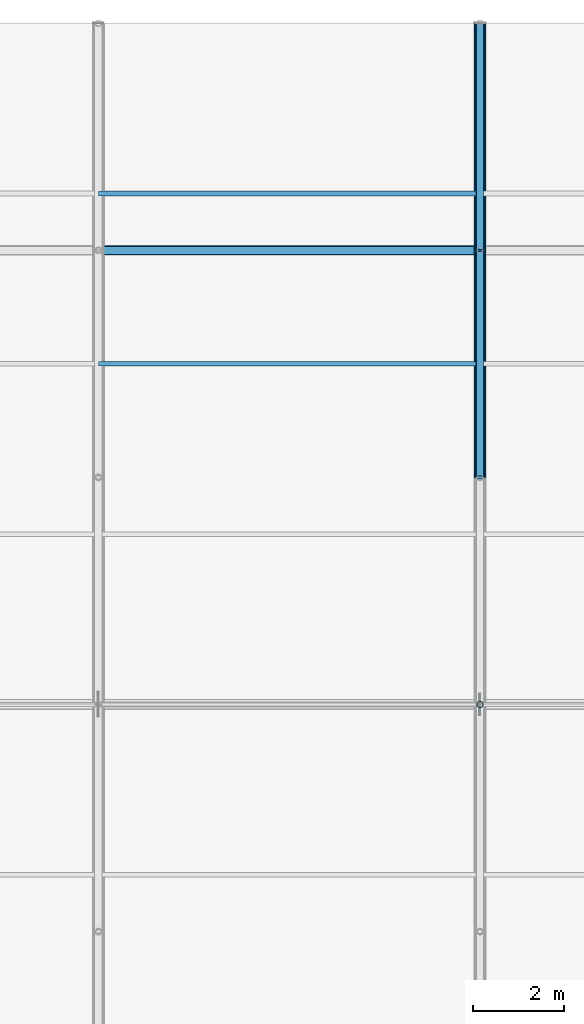
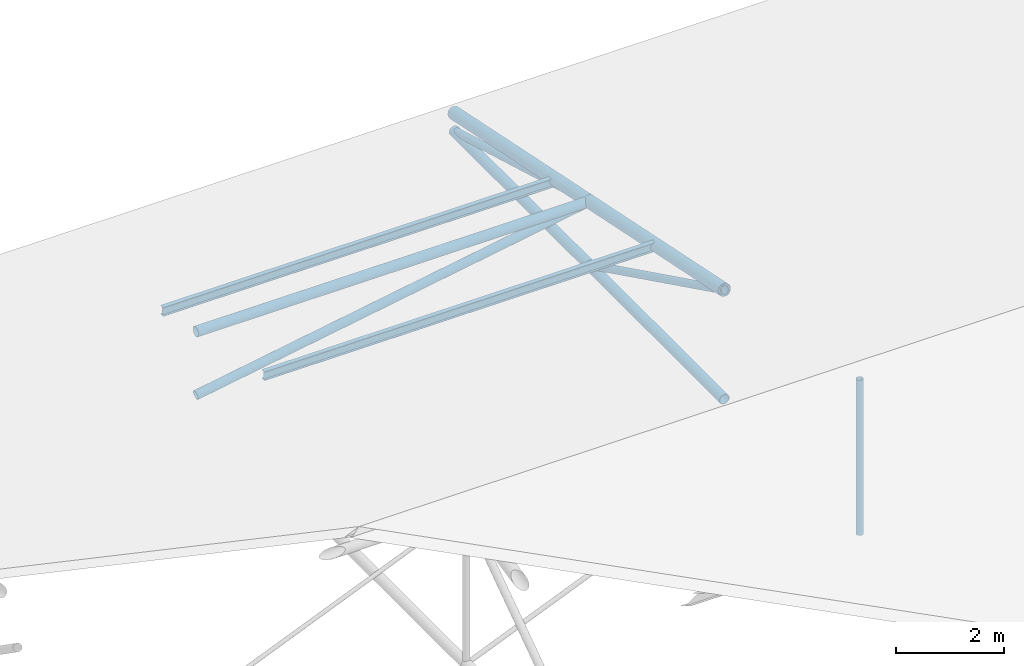
# One storey, part 58 of 194: 9 members, 2 beams.
"""IFC4 building model written with IfcOpenShell, lengths in metres."""

from ifc_helpers import new_model, si_unit, direction, frame, origin, origin_2d, place, context, subcontext, project, spatial, hollow_circle, i_section, extrude, material, material_profile, profile_set, type_object, element, save


model = new_model("IFC4")

# Units and contexts
model_context = context("Model", 3, precision=1e-05, world=origin(), true_north=direction((0.0, 1.0)))
body_context = subcontext(model_context, "Body", "Model", "MODEL_VIEW")
ifc_project = project(units=[si_unit("LENGTHUNIT", "METRE"), si_unit("AREAUNIT", "SQUARE_METRE"), si_unit("VOLUMEUNIT", "CUBIC_METRE"), si_unit("PLANEANGLEUNIT", "RADIAN"), si_unit("MASSUNIT", "GRAM", prefix="KILO")], contexts=[model_context])

# Site, building, storey
site_placement = place(None, origin())
site = spatial("IfcSite", under=ifc_project, at=site_placement, CompositionType="ELEMENT")
building_placement = place(site_placement, origin())
building = spatial("IfcBuilding", under=site, at=building_placement, Name="Kazenagashi Tramway Depot", CompositionType="ELEMENT")
storey_placement = place(building_placement, frame((0.0, 0.0, 23.7)))
storey = spatial("IfcBuildingStorey", under=building, at=storey_placement, Name="ROOF", CompositionType="ELEMENT", Elevation=23.7)

# Beams
ifc_material_1 = material(Name="Steel SN400B", Category="steel")
ifc_material_profile_1 = material_profile(ifc_material_1, i_section(OverallWidth=0.1, OverallDepth=0.2, WebThickness=0.0055, FlangeThickness=0.008, at=origin_2d()), Name="H-200x100x5.5x8")
ifc_profile_set_1 = profile_set([ifc_material_profile_1], Name="Steel SN400B")
beam_type = type_object("IfcBeamType", Name="PR-01", PredefinedType="USERDEFINED", material=ifc_profile_set_1)
for number, where, z_axis, x_axis, name in (
    (1, (103.6, 122.5, -12.13), (1.0, 0.0, 0.0), (0.0, 1.0, 0.0), "Beam PR-01 BM-2205"),
    (2, (103.6, 126.25, -12.955), (1.0, 0.0, 0.0), (0.0, 1.0, 0.0), "Beam PR-01 BM-2223"),
):
    element("IfcBeam", number, at=place(storey_placement, frame(where, z_axis=z_axis, x_axis=x_axis)), inside=storey, type_object=beam_type, Name=name, ObjectType="PURLIN", PredefinedType="USERDEFINED", context=body_context, shape_type="SweptSolid", body=[
        extrude(i_section(OverallWidth=0.1, OverallDepth=0.2, WebThickness=0.0055, FlangeThickness=0.008, at=origin_2d()), origin(), (0.0, 0.0, 1.0), 8.4),
    ])

# Members
ifc_material_2 = material(Name="Steel STK490", Category="steel")
ifc_material_profile_2 = material_profile(ifc_material_2, hollow_circle(Radius=0.1337, WallThickness=0.0093, at=origin_2d()), Name="CHS-267.4x9.3")
ifc_profile_set_2 = profile_set([ifc_material_profile_2], Name="Steel STK490")
member_type_1 = type_object("IfcMemberType", Name="TC-01", PredefinedType="CHORD", material=ifc_profile_set_2)
member_1_placement = place(storey_placement, frame((112.0, 120.0, -11.633), z_axis=(0.0, 0.979279174591, -0.202514933305), x_axis=(-1.0, 0.0, 0.0)))
element("IfcMember", 3, at=member_1_placement, inside=storey, type_object=member_type_1, Name="Tubular Space Frame TC-01 MEM-0532", PredefinedType="CHORD", context=body_context, shape_type="SweptSolid", body=[
    extrude(hollow_circle(Radius=0.1337, WallThickness=0.0093, at=origin_2d()), origin(), (0.0, 0.0, 1.0), 5.105796),
])
member_2_placement = place(storey_placement, frame((112.0, 125.0, -12.667), z_axis=(0.0, 0.979317999984, -0.202327098797), x_axis=(-1.0, 0.0, 0.0)))
element("IfcMember", 4, at=member_2_placement, inside=storey, type_object=member_type_1, Name="Tubular Space Frame TC-01 MEM-0535", PredefinedType="CHORD", context=body_context, shape_type="SweptSolid", body=[
    extrude(hollow_circle(Radius=0.1337, WallThickness=0.0093, at=origin_2d()), origin(), (0.0, 0.0, 1.0), 5.105594),
])
ifc_material_profile_3 = material_profile(ifc_material_2, hollow_circle(Radius=0.10815, WallThickness=0.0082, at=origin_2d()), Name="CHS-216.3x8.2")
ifc_profile_set_3 = profile_set([ifc_material_profile_3], Name="Steel STK490")
member_type_2 = type_object("IfcMemberType", Name="TC-02", PredefinedType="CHORD", material=ifc_profile_set_3)
member_3_placement = place(storey_placement, frame((103.6, 125.0, -12.667), z_axis=(1.0, 0.0, 0.0), x_axis=(0.0, 1.0, 0.0)))
element("IfcMember", 5, at=member_3_placement, inside=storey, type_object=member_type_2, Name="Tubular Space Frame TC-02 MEM-0487", PredefinedType="CHORD", context=body_context, shape_type="SweptSolid", body=[
    extrude(hollow_circle(Radius=0.10815, WallThickness=0.0082, at=origin_2d()), origin(), (0.0, 0.0, 1.0), 8.4),
])
for number, where, z_axis, x_axis, name in (
    (6, (112.0, 120.0, -14.1), (0.0, 1.0, 0.0), (-1.0, 0.0, 0.0), "Tubular Space Frame TC-02 MEM-0533"),
    (7, (112.0, 125.0, -14.1), (0.0, 1.0, 0.0), (-1.0, 0.0, 0.0), "Tubular Space Frame TC-02 MEM-0536"),
):
    element("IfcMember", number, at=place(storey_placement, frame(where, z_axis=z_axis, x_axis=x_axis)), inside=storey, type_object=member_type_2, Name=name, PredefinedType="CHORD", context=body_context, shape_type="SweptSolid", body=[
        extrude(hollow_circle(Radius=0.10815, WallThickness=0.0082, at=origin_2d()), origin(), (0.0, 0.0, 1.0), 5.0),
    ])
ifc_material_profile_4 = material_profile(ifc_material_2, hollow_circle(Radius=0.0826, WallThickness=0.0071, at=origin_2d()), Name="CHS-165.2x7.1")
ifc_profile_set_4 = profile_set([ifc_material_profile_4], Name="Steel STK490")
member_type_3 = type_object("IfcMemberType", Name="TS-01", PredefinedType="STRUT", material=ifc_profile_set_4)
member_4_placement = place(storey_placement, frame((112.0, 120.0, -11.633), z_axis=(0.0, 0.896782162482, -0.442472318969), x_axis=(-1.0, 0.0, 0.0)))
element("IfcMember", 8, at=member_4_placement, inside=storey, type_object=member_type_3, Name="Tubular Space Frame TS-01 MEM-0534", PredefinedType="STRUT", context=body_context, shape_type="SweptSolid", body=[
    extrude(hollow_circle(Radius=0.0826, WallThickness=0.0071, at=origin_2d()), origin(), (0.0, 0.0, 1.0), 5.57549),
])
member_5_placement = place(storey_placement, frame((112.0, 125.0, -12.667), z_axis=(0.0, 0.961298717795, -0.27550821252), x_axis=(-1.0, 0.0, 0.0)))
element("IfcMember", 9, at=member_5_placement, inside=storey, type_object=member_type_3, Name="Tubular Space Frame TS-01 MEM-0537", PredefinedType="STRUT", context=body_context, shape_type="SweptSolid", body=[
    extrude(hollow_circle(Radius=0.0826, WallThickness=0.0071, at=origin_2d()), origin(), (0.0, 0.0, 1.0), 5.201297),
])
ifc_material_profile_5 = material_profile(ifc_material_2, hollow_circle(Radius=0.0699, WallThickness=0.0066, at=origin_2d()), Name="CHS-139.8x6.6")
ifc_profile_set_5 = profile_set([ifc_material_profile_5], Name="Steel STK490")
member_type_4 = type_object("IfcMemberType", Name="TS-02", PredefinedType="STRUT", material=ifc_profile_set_5)
member_6_placement = place(storey_placement, frame((112.0, 115.0, -14.1), z_axis=(0.0, 0.0, 1.0), x_axis=(1.0, 0.0, 0.0)))
element("IfcMember", 10, at=member_6_placement, inside=storey, type_object=member_type_4, Name="Tubular Space Frame TS-02 MEM-0540", PredefinedType="STRUT", context=body_context, shape_type="SweptSolid", body=[
    extrude(hollow_circle(Radius=0.0699, WallThickness=0.0066, at=origin_2d()), origin(), (0.0, 0.0, 1.0), 3.5),
])
ifc_material_profile_6 = material_profile(ifc_material_2, hollow_circle(Radius=0.09535, WallThickness=0.007, at=origin_2d()), Name="CHS-190.7x7.0")
ifc_profile_set_6 = profile_set([ifc_material_profile_6], Name="Steel STK490")
member_type_5 = type_object("IfcMemberType", Name="TS-05", PredefinedType="STRUT", material=ifc_profile_set_6)
member_7_placement = place(storey_placement, frame((103.6, 125.0, -14.1), z_axis=(0.985758734117, 0.0, 0.168165745951), x_axis=(0.0, 1.0, 0.0)))
element("IfcMember", 11, at=member_7_placement, inside=storey, type_object=member_type_5, Name="Tubular Space Frame TS-05 MEM-0488", PredefinedType="STRUT", context=body_context, shape_type="SweptSolid", body=[
    extrude(hollow_circle(Radius=0.09535, WallThickness=0.007, at=origin_2d()), origin(), (0.0, 0.0, 1.0), 8.521355),
])

save(model, "model.ifc")
